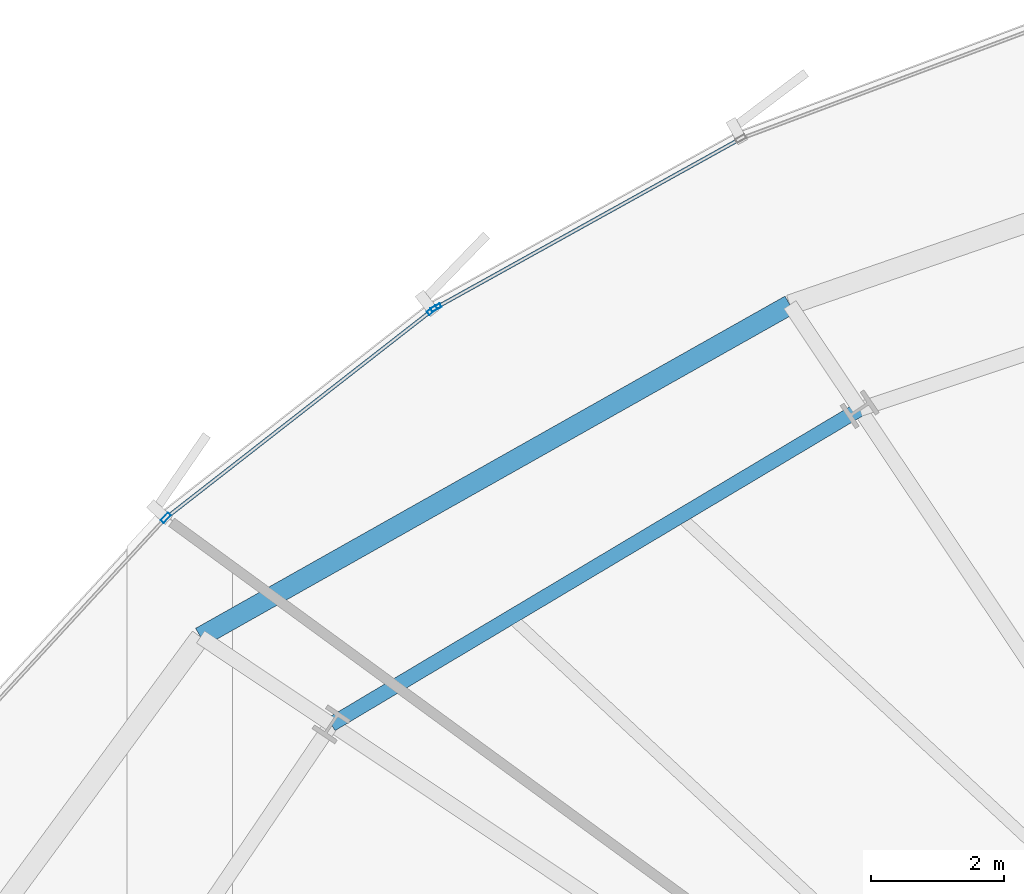
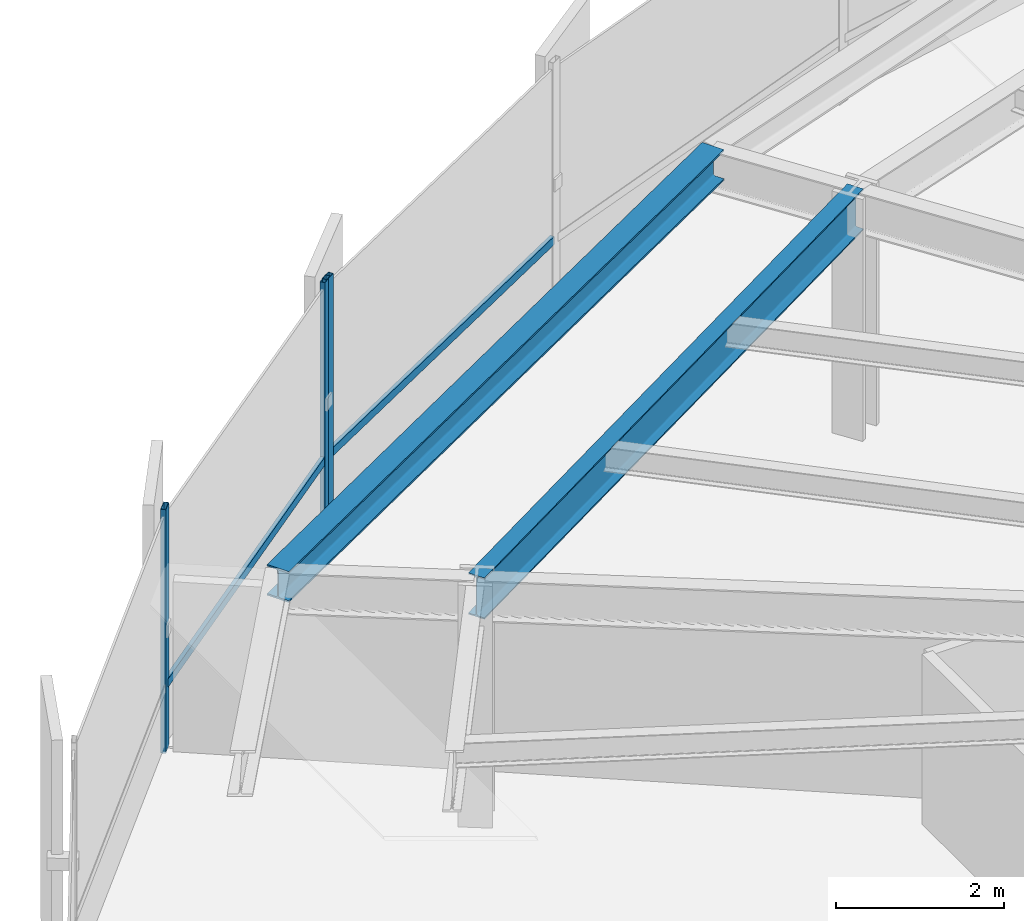
# One storey, part 20 of 38: 5 members, 2 beams, 2 elements without a shape of their own.
"""IFC4 building model written with IfcOpenShell, lengths in metres."""

from ifc_helpers import new_model, si_unit, direction, frame, origin, origin_2d, place, context, subcontext, project, spatial, hollow_rectangle, i_section, extrude, source, transform, mapped, material, layer, layer_set, material_profile, profile_set, type_object, element, aggregate, save


model = new_model("IFC4")

# Units and contexts
model_context = context("Model", 3, precision=1e-05, world=origin(), true_north=direction((0.0, 1.0)))
body_context = subcontext(model_context, "Body", "Model", "MODEL_VIEW")
ifc_project = project(units=[si_unit("LENGTHUNIT", "METRE"), si_unit("AREAUNIT", "SQUARE_METRE"), si_unit("VOLUMEUNIT", "CUBIC_METRE"), si_unit("PLANEANGLEUNIT", "RADIAN"), si_unit("MASSUNIT", "GRAM", prefix="KILO"), si_unit("THERMODYNAMICTEMPERATUREUNIT", "KELVIN")], contexts=[model_context])

# Site, building, storey
site_placement = place(None, origin())
site = spatial("IfcSite", under=ifc_project, at=site_placement, CompositionType="ELEMENT")
building_placement = place(site_placement, origin())
building = spatial("IfcBuilding", under=site, at=building_placement, Name="Kethvar Cultural Tower", CompositionType="ELEMENT")
storey_placement = place(building_placement, frame((0.0, 0.0, 63.800048828125)))
storey = spatial("IfcBuildingStorey", under=building, at=storey_placement, Name="L15", CompositionType="ELEMENT", Elevation=63.800048828125)

# Beams
ifc_material_1 = material(Name="Steel S355J2", Category="steel")
ifc_material_profile_1 = material_profile(ifc_material_1, i_section(OverallWidth=0.219970703125, OverallDepth=0.60009765625, WebThickness=0.011962890625, FlangeThickness=0.01904296875, FilletRadius=0.02392578125, at=origin_2d()), Name="Steel S355J2 — IPE600")
ifc_profile_set_1 = profile_set([ifc_material_profile_1], Name="Steel S355J2 — IPE600")
beam_type_1 = type_object("IfcBeamType", Name="BM-IPE600", PredefinedType="BEAM", material=ifc_profile_set_1)
shared_shape_1 = source(origin(), body_context, "Body", "SweptSolid", [
    extrude(i_section(OverallWidth=0.219970703125, OverallDepth=0.60009765625, WebThickness=0.011962890625, FlangeThickness=0.01904296875, FilletRadius=0.02392578125, at=origin_2d()), origin(), (0.0, 0.0, 1.0), 9.270263671875),
])
beam_1_placement = place(storey_placement, frame((34.64599609375, 45.98974609375, 3.248046875), z_axis=(-0.858814626354, -0.51228647997, 0.0), x_axis=(0.51228647997, -0.858814626354, 0.0)))
element("IfcBeam", 1, at=beam_1_placement, inside=storey, type_object=beam_type_1, Name="L15 Column Ring Tie Beam CR-06", PredefinedType="BEAM", context=body_context, shape_type="MappedRepresentation", body=[
    mapped(shared_shape_1, transform((0.0, 0.0, 0.0), scale=1.0)),
])
ifc_material_profile_2 = material_profile(ifc_material_1, i_section(OverallWidth=0.300048828125, OverallDepth=0.449951171875, WebThickness=0.013916015625, FlangeThickness=0.02587890625, FilletRadius=0.027099609375, at=origin_2d()), Name="Steel S355J2 — HEB450")
ifc_profile_set_2 = profile_set([ifc_material_profile_2], Name="Steel S355J2 — HEB450")
beam_type_2 = type_object("IfcBeamType", Name="BM-SP450", PredefinedType="SPANDREL", material=ifc_profile_set_2)
shared_shape_2 = source(origin(), body_context, "Body", "SweptSolid", [
    extrude(i_section(OverallWidth=0.300048828125, OverallDepth=0.449951171875, WebThickness=0.013916015625, FlangeThickness=0.02587890625, FilletRadius=0.027099609375, at=origin_2d()), origin(), (0.0, 0.0, 1.0), 10.194580078125),
])
beam_2_placement = place(storey_placement, frame((33.5947265625, 47.56298828125, 3.322998046875), z_axis=(-0.871166550162, -0.490987618864, 0.0), x_axis=(0.490987618864, -0.871166550162, 0.0)))
element("IfcBeam", 2, at=beam_2_placement, inside=storey, type_object=beam_type_2, Name="L15 Perimeter Spandrel Beam SP-06", PredefinedType="SPANDREL", context=body_context, shape_type="MappedRepresentation", body=[
    mapped(shared_shape_2, transform((0.0, 0.0, 0.0), scale=1.0)),
])

# Curtain wall, member
ifc_material_2 = material(Name="Aluminium 6063-T6", Category="aluminium")
ifc_layer = layer(ifc_material_2, 0.179931640625, Name="Aluminium 6063-T6", Category="aluminium")
ifc_layer_set = layer_set([ifc_layer], Name="Aluminium 6063-T6 (180 mm)")
curtain_wall_type = type_object("IfcCurtainWallType", Name="CW-SYS-02-Z1", PredefinedType="NOTDEFINED", material=ifc_layer_set)
curtain_wall_1_placement = place(storey_placement, origin())
curtain_wall_1 = element("IfcCurtainWall", 3, at=curtain_wall_1_placement, inside=storey, type_object=curtain_wall_type, Name="L15 Curtain Wall Run 02", PredefinedType="NOTDEFINED")
ifc_material_profile_3 = material_profile(ifc_material_2, hollow_rectangle(XDim=0.06494140625, YDim=0.159912109375, WallThickness=0.0048828125, at=origin_2d()), Name="Aluminium 6063-T6 — RHS160x65x5")
ifc_profile_set_3 = profile_set([ifc_material_profile_3], Name="Aluminium 6063-T6 — RHS160x65x5")
member_type_1 = type_object("IfcMemberType", Name="CW-SYS-02-Z1-MUL", PredefinedType="MULLION", material=ifc_profile_set_3)
shared_shape_3 = source(origin(), body_context, "Body", "SweptSolid", [
    extrude(hollow_rectangle(XDim=0.06494140625, YDim=0.159912109375, WallThickness=0.0048828125, at=origin_2d()), origin(), (0.0, 0.0, 1.0), 3.550048828125),
])
member_1_placement = place(storey_placement, frame((28.261474609375, 47.519287109375, 0.0), z_axis=(0.0, 0.0, 1.0), x_axis=(0.485114890576, -0.874450423376, 0.0)))
member_1 = element("IfcMember", 4, at=member_1_placement, type_object=member_type_1, Name="CW-L15-R02 Mullion 7", PredefinedType="MULLION", context=body_context, shape_type="MappedRepresentation", body=[
    mapped(shared_shape_3, transform((0.0, 0.0, 0.0), scale=1.0)),
])

# Curtain wall, members
curtain_wall_2_placement = place(storey_placement, origin())
curtain_wall_2 = element("IfcCurtainWall", 5, at=curtain_wall_2_placement, inside=storey, type_object=curtain_wall_type, Name="L15 Curtain Wall Run 03", PredefinedType="NOTDEFINED")
member_2_placement = place(storey_placement, frame((28.206787109375, 47.483154296875, 0.0), z_axis=(0.0, 0.0, 1.0), x_axis=(0.615056145029, -0.788483315272, 0.0)))
member_2 = element("IfcMember", 6, at=member_2_placement, type_object=member_type_1, Name="CW-L15-R03 Mullion 1", PredefinedType="MULLION", context=body_context, shape_type="MappedRepresentation", body=[
    mapped(shared_shape_3, transform((0.0, 0.0, 0.0), scale=1.0)),
])
member_3_placement = place(storey_placement, frame((24.189697265625, 44.3515625, 0.0), z_axis=(0.0, 0.0, 1.0), x_axis=(0.736616673445, -0.676310488166, 0.0)))
member_3 = element("IfcMember", 7, at=member_3_placement, type_object=member_type_1, Name="CW-L15-R03 Mullion 2", PredefinedType="MULLION", context=body_context, shape_type="MappedRepresentation", body=[
    mapped(shared_shape_3, transform((0.0, 0.0, 0.0), scale=1.0)),
])

# Member
ifc_material_profile_4 = material_profile(ifc_material_2, hollow_rectangle(XDim=0.054931640625, YDim=0.1201171875, WallThickness=0.00390625, at=origin_2d()), Name="Aluminium 6063-T6 — RHS120x55x4")
ifc_profile_set_4 = profile_set([ifc_material_profile_4], Name="Aluminium 6063-T6 — RHS120x55x4")
member_type_2 = type_object("IfcMemberType", Name="CW-SYS-02-Z1-TRN", PredefinedType="USERDEFINED", material=ifc_profile_set_4)
shared_shape_4 = source(origin(), body_context, "Body", "SweptSolid", [
    extrude(hollow_rectangle(XDim=0.054931640625, YDim=0.1201171875, WallThickness=0.00390625, at=origin_2d()), origin(), (0.0, 0.0, 1.0), 5.202880859375),
])
member_4_placement = place(storey_placement, frame((32.81494140625, 50.04541015625, 0.949951171875), z_axis=(-0.874451504875, -0.4851129411, 0.0), x_axis=(0.4851129411, -0.874451504875, 0.0)))
member_4 = element("IfcMember", 8, at=member_4_placement, type_object=member_type_2, Name="CW-L15-R02 Transom 6", ObjectType="TRANSOM", PredefinedType="USERDEFINED", context=body_context, shape_type="MappedRepresentation", body=[
    mapped(shared_shape_4, transform((0.0, 0.0, 0.0), scale=1.0)),
])

aggregate(curtain_wall_1, [member_1, member_4])

shared_shape_5 = source(origin(), body_context, "Body", "SweptSolid", [
    extrude(hollow_rectangle(XDim=0.054931640625, YDim=0.1201171875, WallThickness=0.00390625, at=origin_2d()), origin(), (0.0, 0.0, 1.0), 5.06201171875),
])
member_5_placement = place(storey_placement, frame((28.203125, 47.48046875, 0.949951171875), z_axis=(-0.788465817192, -0.615078576379, 0.0), x_axis=(0.615078576379, -0.788465817192, 0.0)))
member_5 = element("IfcMember", 9, at=member_5_placement, type_object=member_type_2, Name="CW-L15-R03 Transom 1", ObjectType="TRANSOM", PredefinedType="USERDEFINED", context=body_context, shape_type="MappedRepresentation", body=[
    mapped(shared_shape_5, transform((0.0, 0.0, 0.0), scale=1.0)),
])

aggregate(curtain_wall_2, [member_2, member_3, member_5])

save(model, "model.ifc")
